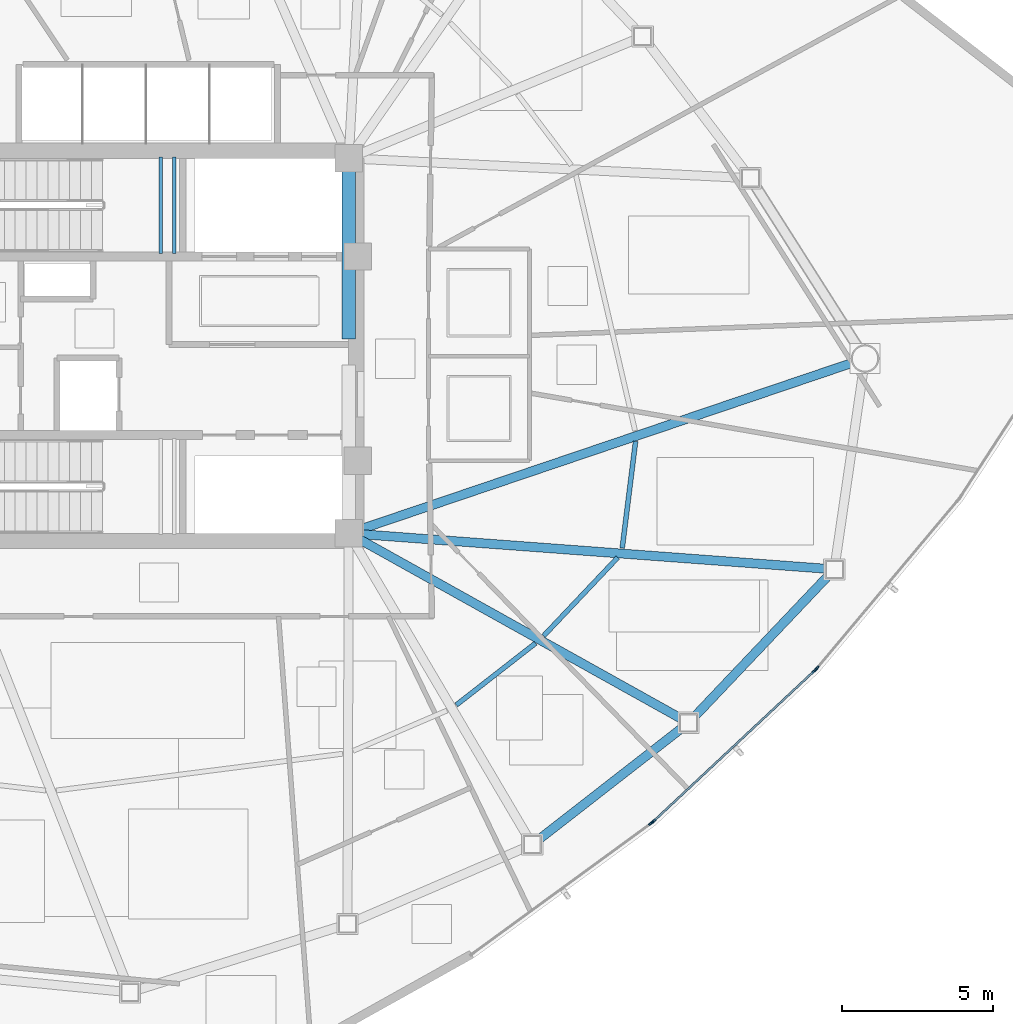
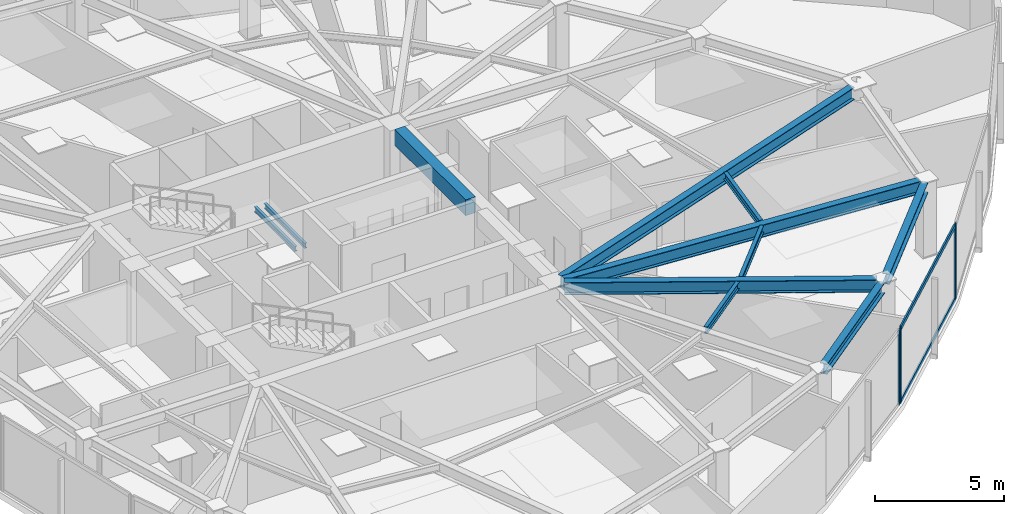
# One storey, part 5 of 17: 11 beams, 6 members, 3 elements without a shape of their own.
"""IFC4 building model written with IfcOpenShell, lengths in metres."""

from ifc_helpers import new_model, si_unit, direction, frame, origin, origin_2d, place, context, subcontext, project, spatial, rectangle, hollow_rectangle, i_section, extrude, source, transform, mapped, material, layer, layer_set, material_profile, profile_set, type_object, type_shapes, element, aggregate, save


model = new_model("IFC4")

# Units and contexts
model_context = context("Model", 3, precision=1e-05, world=origin(), true_north=direction((0.0, 1.0)))
body_context = subcontext(model_context, "Body", "Model", "MODEL_VIEW")
ifc_project = project(units=[si_unit("LENGTHUNIT", "METRE"), si_unit("AREAUNIT", "SQUARE_METRE"), si_unit("VOLUMEUNIT", "CUBIC_METRE"), si_unit("PLANEANGLEUNIT", "RADIAN"), si_unit("MASSUNIT", "GRAM", prefix="KILO")], contexts=[model_context])

# Site, building, storey
site_placement = place(None, origin())
site = spatial("IfcSite", under=ifc_project, at=site_placement, CompositionType="ELEMENT")
building_placement = place(site_placement, origin())
building = spatial("IfcBuilding", under=site, at=building_placement, Name="Tavelor Broadcast Tower", CompositionType="ELEMENT")
storey_placement = place(building_placement, frame((0.0, 0.0, 200.300048828125)))
storey = spatial("IfcBuildingStorey", under=building, at=storey_placement, Name="L48", CompositionType="ELEMENT", Elevation=200.300048828125)

# Beams
ifc_material_1 = material(Name="Concrete C40/50", Category="concrete")
ifc_material_profile_1 = material_profile(ifc_material_1, rectangle(XDim=0.449951171875, YDim=0.75, at=origin_2d()), Name="RC 450x750")
ifc_profile_set_1 = profile_set([ifc_material_profile_1], Name="Concrete C40/50")
beam_type_1 = type_object("IfcBeamType", Name="Basement Core Trim Beam 450x750", PredefinedType="BEAM", material=ifc_profile_set_1)
beam_1_placement = place(storey_placement, frame((56.60009765625, 45.23193359375, 3.175048828125), z_axis=(0.0, 1.0, 0.0), x_axis=(-1.0, 0.0, 0.0)))
element("IfcBeam", 1, at=beam_1_placement, inside=storey, type_object=beam_type_1, Name="L48 Core East-N Tie Girder", PredefinedType="BEAM", context=body_context, shape_type="SweptSolid", body=[
    extrude(rectangle(XDim=0.449951171875, YDim=0.75, at=origin_2d()), origin(), (0.0, 0.0, 1.0), 5.5361328125),
])
ifc_material_2 = material(Name="Steel S355", Category="steel")
ifc_material_profile_2 = material_profile(ifc_material_2, i_section(OverallWidth=0.159912109375, OverallDepth=0.330078125, WebThickness=0.007568359375, FlangeThickness=0.011474609375, at=origin_2d()), Name="IPE 330")
ifc_profile_set_2 = profile_set([ifc_material_profile_2], Name="Steel S355")
beam_type_2 = type_object("IfcBeamType", Name="Composite Floor Joist T4 IPE 330", PredefinedType="JOIST", material=ifc_profile_set_2)
beam_2_placement = place(storey_placement, frame((60.156005859375, 33.120361328125, 3.385009765625), z_axis=(0.788651848012, 0.614840030112, 0.0), x_axis=(-0.614840030112, 0.788651848012, 0.0)))
element("IfcBeam", 2, at=beam_2_placement, inside=storey, type_object=beam_type_2, Name="L48 Secondary Composite Floor Joist 10", PredefinedType="JOIST", context=body_context, shape_type="SweptSolid", body=[
    extrude(i_section(OverallWidth=0.159912109375, OverallDepth=0.330078125, WebThickness=0.007568359375, FlangeThickness=0.011474609375, at=origin_2d()), origin(), (0.0, 0.0, 1.0), 3.32470703125),
])
beam_3_placement = place(storey_placement, frame((63.04541015625, 35.4072265625, 3.385009765625), z_axis=(0.687334543524, 0.726340984166, 0.0), x_axis=(-0.726340984166, 0.687334543524, 0.0)))
element("IfcBeam", 3, at=beam_3_placement, inside=storey, type_object=beam_type_2, Name="L48 Secondary Composite Floor Joist 11", PredefinedType="JOIST", context=body_context, shape_type="SweptSolid", body=[
    extrude(i_section(OverallWidth=0.159912109375, OverallDepth=0.330078125, WebThickness=0.007568359375, FlangeThickness=0.011474609375, at=origin_2d()), origin(), (0.0, 0.0, 1.0), 3.567626953125),
])
beam_4_placement = place(storey_placement, frame((65.64453125, 38.3095703125, 3.385009765625), z_axis=(0.124499310057, 0.992219694319, 0.0), x_axis=(-0.992219694319, 0.124499310057, 0.0)))
element("IfcBeam", 4, at=beam_4_placement, inside=storey, type_object=beam_type_2, Name="L48 Secondary Composite Floor Joist 12", PredefinedType="JOIST", context=body_context, shape_type="SweptSolid", body=[
    extrude(i_section(OverallWidth=0.159912109375, OverallDepth=0.330078125, WebThickness=0.007568359375, FlangeThickness=0.011474609375, at=origin_2d()), origin(), (0.0, 0.0, 1.0), 3.55712890625),
])
ifc_material_profile_3 = material_profile(ifc_material_2, i_section(OverallWidth=0.300048828125, OverallDepth=0.5, WebThickness=0.014404296875, FlangeThickness=0.028076171875, at=origin_2d()), Name="HEB 500")
ifc_profile_set_3 = profile_set([ifc_material_profile_3], Name="Steel S355")
beam_type_3 = type_object("IfcBeamType", Name="Perimeter Spandrel Beam T4 HEB 500", PredefinedType="SPANDREL", material=ifc_profile_set_3)
beam_5_placement = place(storey_placement, frame((62.896484375, 28.68017578125, 3.300048828125), z_axis=(0.788978387361, 0.614420950389, 0.0), x_axis=(-0.614420950389, 0.788978387361, 0.0)))
element("IfcBeam", 5, at=beam_5_placement, inside=storey, type_object=beam_type_3, Name="L48 Framed-Tube Ring Spandrel 10", PredefinedType="SPANDREL", context=body_context, shape_type="SweptSolid", body=[
    extrude(i_section(OverallWidth=0.300048828125, OverallDepth=0.5, WebThickness=0.014404296875, FlangeThickness=0.028076171875, at=origin_2d()), origin(), (0.0, 0.0, 1.0), 5.98046875),
])
beam_6_placement = place(storey_placement, frame((68.04052734375, 32.74072265625, 3.300048828125), z_axis=(0.688387662899, 0.725342970993, 0.0), x_axis=(-0.725342970993, 0.688387662899, 0.0)))
element("IfcBeam", 6, at=beam_6_placement, inside=storey, type_object=beam_type_3, Name="L48 Framed-Tube Ring Spandrel 11", PredefinedType="SPANDREL", context=body_context, shape_type="SweptSolid", body=[
    extrude(i_section(OverallWidth=0.300048828125, OverallDepth=0.5, WebThickness=0.014404296875, FlangeThickness=0.028076171875, at=origin_2d()), origin(), (0.0, 0.0, 1.0), 6.42138671875),
])
ifc_material_profile_4 = material_profile(ifc_material_2, i_section(OverallWidth=0.300048828125, OverallDepth=0.590087890625, WebThickness=0.012939453125, FlangeThickness=0.02490234375, at=origin_2d()), Name="HEA 600")
ifc_profile_set_4 = profile_set([ifc_material_profile_4], Name="Steel S355")
beam_type_4 = type_object("IfcBeamType", Name="Radial Floor Girder T4 HEA 600", PredefinedType="BEAM", material=ifc_profile_set_4)
beam_7_placement = place(storey_placement, frame((56.977294921875, 38.589599609375, 3.2548828125), z_axis=(0.8734199139, -0.486967816187, 0.0), x_axis=(0.486967816187, 0.8734199139, 0.0)))
element("IfcBeam", 7, at=beam_7_placement, inside=storey, type_object=beam_type_4, Name="L48 Radial Primary Floor Girder 11", PredefinedType="BEAM", context=body_context, shape_type="SweptSolid", body=[
    extrude(i_section(OverallWidth=0.300048828125, OverallDepth=0.590087890625, WebThickness=0.012939453125, FlangeThickness=0.02490234375, at=origin_2d()), origin(), (0.0, 0.0, 1.0), 12.151611328125),
])
beam_8_placement = place(storey_placement, frame((57.03076171875, 38.76806640625, 3.2548828125), z_axis=(0.997253315852, -0.074066348787, 0.0), x_axis=(0.074066348787, 0.997253315852, 0.0)))
element("IfcBeam", 8, at=beam_8_placement, inside=storey, type_object=beam_type_4, Name="L48 Radial Primary Floor Girder 12", PredefinedType="BEAM", context=body_context, shape_type="SweptSolid", body=[
    extrude(i_section(OverallWidth=0.300048828125, OverallDepth=0.590087890625, WebThickness=0.012939453125, FlangeThickness=0.02490234375, at=origin_2d()), origin(), (0.0, 0.0, 1.0), 15.383544921875),
])
beam_9_placement = place(storey_placement, frame((57.00927734375, 38.9384765625, 3.2548828125), z_axis=(0.947214639948, 0.320600102727, 0.0), x_axis=(-0.320600102727, 0.947214639948, 0.0)))
element("IfcBeam", 9, at=beam_9_placement, inside=storey, type_object=beam_type_4, Name="L48 Radial Primary Floor Girder 13", PredefinedType="BEAM", context=body_context, shape_type="SweptSolid", body=[
    extrude(i_section(OverallWidth=0.300048828125, OverallDepth=0.590087890625, WebThickness=0.012939453125, FlangeThickness=0.02490234375, at=origin_2d()), origin(), (0.0, 0.0, 1.0), 17.15673828125),
])
ifc_material_profile_5 = material_profile(ifc_material_2, i_section(OverallWidth=0.1201171875, OverallDepth=0.239990234375, WebThickness=0.006103515625, FlangeThickness=0.009765625, at=origin_2d()), Name="IPE 240")
ifc_profile_set_5 = profile_set([ifc_material_profile_5], Name="Steel S355")
beam_type_5 = type_object("IfcBeamType", Name="Stairwell Landing Support Trimmer Beam IPE240", PredefinedType="BEAM", material=ifc_profile_set_5)
for number, where, z_axis, x_axis, name in (
    (10, (50.385009765625, 48.06005859375, 1.60986328125), (0.0, 1.0, 0.0), (-1.0, 0.0, 0.0), "L48 Stair Landing Support Beam 129"),
    (11, (50.824951171875, 48.06005859375, 1.60986328125), (0.0, 1.0, 0.0), (-1.0, 0.0, 0.0), "L48 Stair Landing Support Beam 130"),
):
    element("IfcBeam", number, at=place(storey_placement, frame(where, z_axis=z_axis, x_axis=x_axis)), inside=storey, type_object=beam_type_5, Name=name, PredefinedType="BEAM", context=body_context, shape_type="SweptSolid", body=[
        extrude(i_section(OverallWidth=0.1201171875, OverallDepth=0.239990234375, WebThickness=0.006103515625, FlangeThickness=0.009765625, at=origin_2d()), origin(), (0.0, 0.0, 1.0), 3.179931640625),
    ])

# Curtain wall, member
ifc_material_3 = material(Name="Architectural Anodized Aluminium", Category="aluminium")
ifc_layer = layer(ifc_material_3, 0.18994140625)
ifc_layer_set = layer_set([ifc_layer], Name="Architectural Anodized Aluminium")
curtain_wall_type = type_object("IfcCurtainWallType", Name="Tower Mid-Zone Acoustic Curtain Wall CW03", PredefinedType="NOTDEFINED", material=ifc_layer_set)
curtain_wall_1_placement = place(storey_placement, origin())
curtain_wall_1 = element("IfcCurtainWall", 12, at=curtain_wall_1_placement, inside=storey, type_object=curtain_wall_type, Name="L48 Curtain Wall CW03 Run 521", PredefinedType="NOTDEFINED")
ifc_material_profile_6 = material_profile(ifc_material_3, hollow_rectangle(XDim=0.068115234375, YDim=0.18994140625, WallThickness=0.02197265625, at=origin_2d()), Name="RHS 68x190x22")
ifc_profile_set_6 = profile_set([ifc_material_profile_6], Name="Architectural Anodized Aluminium")
member_type_1 = type_object("IfcMemberType", Name="CW03 Extruded Aluminium Mullion 68x190", PredefinedType="MULLION", material=ifc_profile_set_6)
shared_shape_1 = source(origin(), body_context, "Body", "SweptSolid", [
    extrude(hollow_rectangle(XDim=0.068115234375, YDim=0.18994140625, WallThickness=0.02197265625, at=origin_2d()), origin(), (0.0, 0.0, 1.0), 3.550048828125),
])
type_shapes(member_type_1, [shared_shape_1])
member_1_placement = place(storey_placement, frame((66.599853515625, 29.209228515625, 0.0), z_axis=(0.0, 0.0, 1.0), x_axis=(-0.589531851152, 0.80774513089, 0.0)))
member_1 = element("IfcMember", 13, at=member_1_placement, type_object=member_type_1, Name="CW03 mullion 2", PredefinedType="MULLION", context=body_context, shape_type="MappedRepresentation", body=[
    mapped(shared_shape_1, transform((0.0, 0.0, 0.0), scale=1.0)),
])
aggregate(curtain_wall_1, [member_1])

# Curtain wall, members
curtain_wall_2_placement = place(storey_placement, origin())
curtain_wall_2 = element("IfcCurtainWall", 14, at=curtain_wall_2_placement, inside=storey, type_object=curtain_wall_type, Name="L48 Curtain Wall CW03 Run 522", PredefinedType="NOTDEFINED")
member_2_placement = place(storey_placement, frame((66.67529296875, 29.271484375, 0.0), z_axis=(0.0, 0.0, 1.0), x_axis=(-0.682965070376, 0.730451033709, 0.0)))
member_2 = element("IfcMember", 15, at=member_2_placement, type_object=member_type_1, Name="CW03 mullion 1", PredefinedType="MULLION", context=body_context, shape_type="MappedRepresentation", body=[
    mapped(shared_shape_1, transform((0.0, 0.0, 0.0), scale=1.0)),
])
member_3_placement = place(storey_placement, frame((72.010986328125, 34.260498046875, 0.0), z_axis=(0.0, 0.0, 1.0), x_axis=(-0.682965070376, 0.730451033709, 0.0)))
member_3 = element("IfcMember", 16, at=member_3_placement, type_object=member_type_1, Name="CW03 mullion 2", PredefinedType="MULLION", context=body_context, shape_type="MappedRepresentation", body=[
    mapped(shared_shape_1, transform((0.0, 0.0, 0.0), scale=1.0)),
])

# Curtain wall, member
curtain_wall_3_placement = place(storey_placement, origin())
curtain_wall_3 = element("IfcCurtainWall", 17, at=curtain_wall_3_placement, inside=storey, type_object=curtain_wall_type, Name="L48 Curtain Wall CW03 Run 523", PredefinedType="NOTDEFINED")
member_4_placement = place(storey_placement, frame((72.078125, 34.33154296875, 0.0), z_axis=(0.0, 0.0, 1.0), x_axis=(-0.766333491341, 0.642442978052, 0.0)))
member_4 = element("IfcMember", 18, at=member_4_placement, type_object=member_type_1, Name="CW03 mullion 1", PredefinedType="MULLION", context=body_context, shape_type="MappedRepresentation", body=[
    mapped(shared_shape_1, transform((0.0, 0.0, 0.0), scale=1.0)),
])
aggregate(curtain_wall_3, [member_4])

# Member
ifc_material_profile_7 = material_profile(ifc_material_3, hollow_rectangle(XDim=0.068115234375, YDim=0.18994140625, WallThickness=0.02197265625, at=origin_2d()), Name="RHS 68x190x22")
ifc_profile_set_7 = profile_set([ifc_material_profile_7], Name="Architectural Anodized Aluminium")
member_type_2 = type_object("IfcMemberType", Name="CW03 Extruded Aluminium Transom 68x190", PredefinedType="USERDEFINED", material=ifc_profile_set_7)
shared_shape_2 = source(origin(), body_context, "Body", "SweptSolid", [
    extrude(hollow_rectangle(XDim=0.068115234375, YDim=0.18994140625, WallThickness=0.02197265625, at=origin_2d()), origin(), (0.0, 0.0, 1.0), 7.23681640625),
])
type_shapes(member_type_2, [shared_shape_2])
member_5_placement = place(storey_placement, frame((66.699951171875, 29.294677734375, 0.033935546875), z_axis=(0.730458152727, 0.6829574563, 0.0), x_axis=(-0.6829574563, 0.730458152727, 0.0)))
member_5 = element("IfcMember", 19, at=member_5_placement, type_object=member_type_2, Name="CW03 transom 1.1", ObjectType="TRANSOM", PredefinedType="USERDEFINED", context=body_context, shape_type="MappedRepresentation", body=[
    mapped(shared_shape_2, transform((0.0, 0.0, 0.0), scale=1.0)),
])

member_6_placement = place(storey_placement, frame((66.699951171875, 29.294677734375, 3.515869140625), z_axis=(0.730458152727, 0.6829574563, 0.0), x_axis=(-0.6829574563, 0.730458152727, 0.0)))
member_6 = element("IfcMember", 20, at=member_6_placement, type_object=member_type_2, Name="CW03 transom 1.2", ObjectType="TRANSOM", PredefinedType="USERDEFINED", context=body_context, shape_type="MappedRepresentation", body=[
    mapped(shared_shape_2, transform((0.0, 0.0, 0.0), scale=1.0)),
])

aggregate(curtain_wall_2, [member_2, member_3, member_5, member_6])

save(model, "model.ifc")
